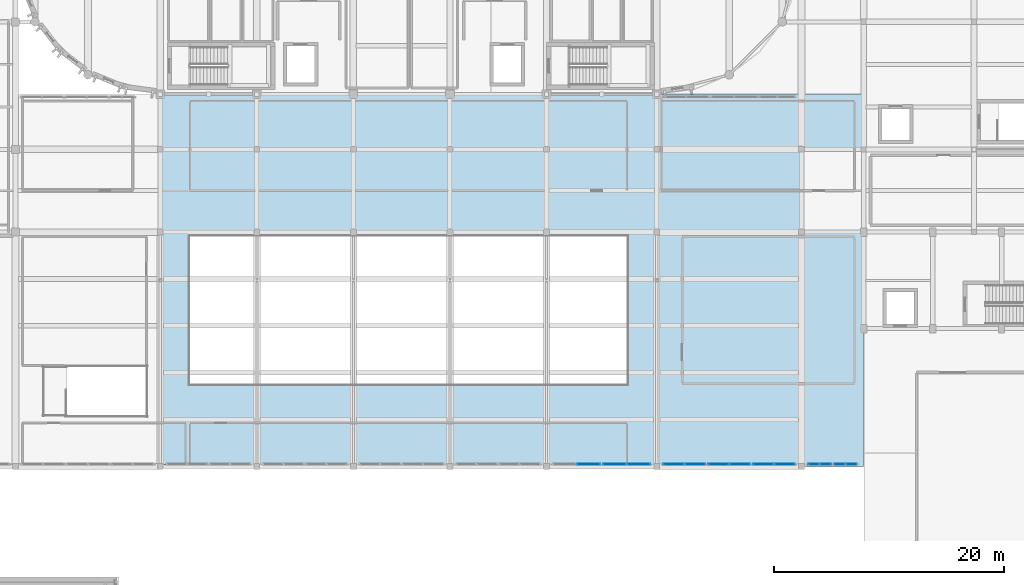
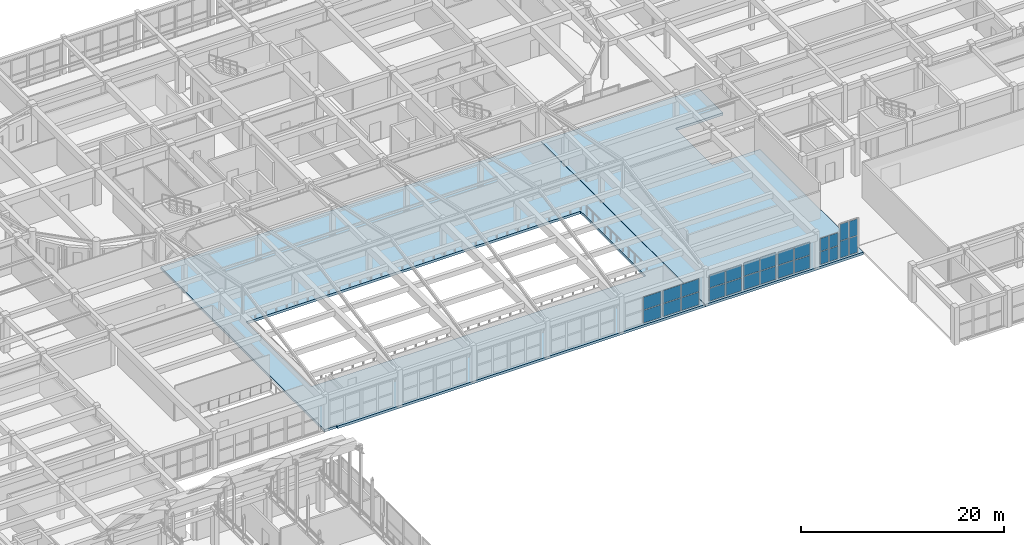
# One storey, part 60 of 91: 26 plates, 2 slabs, 7 elements without a shape of their own.
"""IFC4 building model written with IfcOpenShell, lengths in metres."""

from ifc_helpers import new_model, si_unit, direction, frame, origin, origin_2d, place, context, subcontext, project, spatial, polyline, rectangle, outline, extrude, material, layer, layer_set, type_object, element, aggregate, save


model = new_model("IFC4")

# Units and contexts
model_context = context("Model", 3, precision=1e-05, world=origin(), true_north=direction((0.0, 1.0)))
body_context = subcontext(model_context, "Body", "Model", "MODEL_VIEW")
ifc_project = project(units=[si_unit("LENGTHUNIT", "METRE"), si_unit("AREAUNIT", "SQUARE_METRE"), si_unit("VOLUMEUNIT", "CUBIC_METRE"), si_unit("PLANEANGLEUNIT", "RADIAN"), si_unit("MASSUNIT", "GRAM", prefix="KILO")], contexts=[model_context])

# Site, building, storey
site_placement = place(None, origin())
site = spatial("IfcSite", under=ifc_project, at=site_placement, CompositionType="ELEMENT")
building_placement = place(site_placement, origin())
building = spatial("IfcBuilding", under=site, at=building_placement, Name="Tarnavel Promenade Courthouse", CompositionType="ELEMENT")
storey_placement = place(building_placement, frame((0.0, 0.0, 9.89990234375)))
storey = spatial("IfcBuildingStorey", under=building, at=storey_placement, Name="L03", CompositionType="ELEMENT", Elevation=9.89990234375)

# Slabs
ifc_material_1 = material(Name="Concrete C40/50", Category="concrete")
ifc_layer_1 = layer(ifc_material_1, 0.300048828125)
ifc_layer_set_1 = layer_set([ifc_layer_1], Name="Concrete C40/50")
slab_type = type_object("IfcSlabType", Name="Concrete C40/50 SLB-STK-300 (300 mm)", PredefinedType="FLOOR", material=ifc_layer_set_1)
slab_1_placement = place(storey_placement, frame((0.0, 0.0, -0.2998046875)))
element("IfcSlab", 1, at=slab_1_placement, inside=storey, type_object=slab_type, Name="L03 Winter-Garden East Concourse Slab", PredefinedType="FLOOR", context=body_context, shape_type="SweptSolid", body=[
    extrude(outline(polyline([(102.02001953125, 46.800048828125), (119.97998046875, 46.800048828125), (119.97998046875, 67.179931640625), (114.580078125, 67.179931640625), (114.580078125, 74.419921875), (119.97998046875, 74.419921875), (119.97998046875, 79.179931640625), (102.02001953125, 79.179931640625), (102.02001953125, 46.800048828125)])), origin(), (0.0, 0.0, 1.0), 0.2998046875),
])
slab_2_placement = place(storey_placement, frame((0.0, 0.0, -0.2998046875)))
element("IfcSlab", 2, at=slab_2_placement, inside=storey, type_object=slab_type, Name="L03 Winter-Garden Central Concourse Slab", PredefinedType="FLOOR", context=body_context, shape_type="SweptSolid", body=[
    extrude(outline(polyline([(58.820068359375, 46.9599609375), (60.219970703125, 46.9599609375), (60.219970703125, 46.800048828125), (101.97998046875, 46.800048828125), (101.97998046875, 79.179931640625), (58.820068359375, 79.179931640625), (58.820068359375, 46.9599609375)]), holes=[polyline([(61.39990234375, 54.0), (99.39990234375, 54.0), (99.39990234375, 66.800048828125), (61.39990234375, 66.800048828125), (61.39990234375, 54.0)])]), origin(), (0.0, 0.0, 1.0), 0.2998046875),
])

# Curtain wall, plates
ifc_material_2 = material(Name="Thermally Broken Anodised Aluminium Curtain Wall System", Category="aluminium")
ifc_layer_2 = layer(ifc_material_2, 0.239990234375)
ifc_layer_set_2 = layer_set([ifc_layer_2], Name="Thermally Broken Anodised Aluminium Curtain Wall System")
curtain_wall_type = type_object("IfcCurtainWallType", Name="Thermally Broken Aluminium Triple-Glazed Curtain Wall CW-WG-S", PredefinedType="NOTDEFINED", material=ifc_layer_set_2)
curtain_wall_1_placement = place(storey_placement, origin())
curtain_wall_1 = element("IfcCurtainWall", 3, at=curtain_wall_1_placement, inside=storey, type_object=curtain_wall_type, Name="L03 Winter-Garden South Solar Curtain Wall 095", PredefinedType="NOTDEFINED")
ifc_material_3 = material(Name="Triple Low-E Argon Insulated Glazing", Category="glass")
ifc_layer_3 = layer(ifc_material_3, 0.053955078125)
ifc_layer_set_3 = layer_set([ifc_layer_3], Name="Triple Low-E Argon Insulated Glazing")
plate_type = type_object("IfcPlateType", Name="Triple Low-E Argon Insulated Glazing Unit CWP-54 (54 mm)", PredefinedType="CURTAIN_PANEL", material=ifc_layer_set_3)
plate_1_placement = place(storey_placement, frame((96.070068359375, 47.0, 0.080078125), z_axis=(0.0, 0.0, 1.0), x_axis=(1.0, 0.0, 0.0)))
plate_1 = element("IfcPlate", 4, at=plate_1_placement, type_object=plate_type, Name="CW-02 panel 2.1", PredefinedType="CURTAIN_PANEL", context=body_context, shape_type="SweptSolid", body=[
    extrude(rectangle(XDim=2.0, YDim=0.053955078125, at=origin_2d()), origin(), (0.0, 0.0, 1.0), 1.52001953125),
])
plate_2_placement = place(storey_placement, frame((96.070068359375, 47.0, 1.68017578125), z_axis=(0.0, 0.0, 1.0), x_axis=(1.0, 0.0, 0.0)))
plate_2 = element("IfcPlate", 5, at=plate_2_placement, type_object=plate_type, Name="CW-02 panel 2.2", PredefinedType="CURTAIN_PANEL", context=body_context, shape_type="SweptSolid", body=[
    extrude(rectangle(XDim=2.0, YDim=0.053955078125, at=origin_2d()), origin(), (0.0, 0.0, 1.0), 1.52001953125),
])
aggregate(curtain_wall_1, [plate_1, plate_2])

curtain_wall_2_placement = place(storey_placement, origin())
curtain_wall_2 = element("IfcCurtainWall", 6, at=curtain_wall_2_placement, inside=storey, type_object=curtain_wall_type, Name="L03 Winter-Garden South Solar Curtain Wall 096", PredefinedType="NOTDEFINED")
plate_3_placement = place(storey_placement, frame((98.330078125, 47.0, 0.080078125), z_axis=(0.0, 0.0, 1.0), x_axis=(1.0, 0.0, 0.0)))
plate_3 = element("IfcPlate", 7, at=plate_3_placement, type_object=plate_type, Name="CW-02 panel 1.1", PredefinedType="CURTAIN_PANEL", context=body_context, shape_type="SweptSolid", body=[
    extrude(rectangle(XDim=2.0, YDim=0.053955078125, at=origin_2d()), origin(), (0.0, 0.0, 1.0), 1.52001953125),
])
plate_4_placement = place(storey_placement, frame((98.330078125, 47.0, 1.68017578125), z_axis=(0.0, 0.0, 1.0), x_axis=(1.0, 0.0, 0.0)))
plate_4 = element("IfcPlate", 8, at=plate_4_placement, type_object=plate_type, Name="CW-02 panel 1.2", PredefinedType="CURTAIN_PANEL", context=body_context, shape_type="SweptSolid", body=[
    extrude(rectangle(XDim=2.0, YDim=0.053955078125, at=origin_2d()), origin(), (0.0, 0.0, 1.0), 1.52001953125),
])
plate_5_placement = place(storey_placement, frame((100.419921875, 47.0, 0.080078125), z_axis=(0.0, 0.0, 1.0), x_axis=(1.0, 0.0, 0.0)))
plate_5 = element("IfcPlate", 9, at=plate_5_placement, type_object=plate_type, Name="CW-02 panel 2.1", PredefinedType="CURTAIN_PANEL", context=body_context, shape_type="SweptSolid", body=[
    extrude(rectangle(XDim=2.0, YDim=0.053955078125, at=origin_2d()), origin(), (0.0, 0.0, 1.0), 1.52001953125),
])
plate_6_placement = place(storey_placement, frame((100.419921875, 47.0, 1.68017578125), z_axis=(0.0, 0.0, 1.0), x_axis=(1.0, 0.0, 0.0)))
plate_6 = element("IfcPlate", 10, at=plate_6_placement, type_object=plate_type, Name="CW-02 panel 2.2", PredefinedType="CURTAIN_PANEL", context=body_context, shape_type="SweptSolid", body=[
    extrude(rectangle(XDim=2.0, YDim=0.053955078125, at=origin_2d()), origin(), (0.0, 0.0, 1.0), 1.52001953125),
])
aggregate(curtain_wall_2, [plate_3, plate_4, plate_5, plate_6])

curtain_wall_3_placement = place(storey_placement, origin())
curtain_wall_3 = element("IfcCurtainWall", 11, at=curtain_wall_3_placement, inside=storey, type_object=curtain_wall_type, Name="L03 Winter-Garden South Solar Curtain Wall 097", PredefinedType="NOTDEFINED")
plate_7_placement = place(storey_placement, frame((103.467529296875, 47.0, 0.080078125), z_axis=(0.0, 0.0, 1.0), x_axis=(1.0, 0.0, 0.0)))
plate_7 = element("IfcPlate", 12, at=plate_7_placement, type_object=plate_type, Name="CW-02 panel 1.1", PredefinedType="CURTAIN_PANEL", context=body_context, shape_type="SweptSolid", body=[
    extrude(rectangle(XDim=1.77490234375, YDim=0.053955078125, at=origin_2d()), origin(), (0.0, 0.0, 1.0), 1.52001953125),
])
plate_8_placement = place(storey_placement, frame((103.467529296875, 47.0, 1.68017578125), z_axis=(0.0, 0.0, 1.0), x_axis=(1.0, 0.0, 0.0)))
plate_8 = element("IfcPlate", 13, at=plate_8_placement, type_object=plate_type, Name="CW-02 panel 1.2", PredefinedType="CURTAIN_PANEL", context=body_context, shape_type="SweptSolid", body=[
    extrude(rectangle(XDim=1.77490234375, YDim=0.053955078125, at=origin_2d()), origin(), (0.0, 0.0, 1.0), 1.52001953125),
])
plate_9_placement = place(storey_placement, frame((105.33251953125, 47.0, 0.080078125), z_axis=(0.0, 0.0, 1.0), x_axis=(1.0, 0.0, 0.0)))
plate_9 = element("IfcPlate", 14, at=plate_9_placement, type_object=plate_type, Name="CW-02 panel 2.1", PredefinedType="CURTAIN_PANEL", context=body_context, shape_type="SweptSolid", body=[
    extrude(rectangle(XDim=1.77490234375, YDim=0.053955078125, at=origin_2d()), origin(), (0.0, 0.0, 1.0), 1.52001953125),
])
plate_10_placement = place(storey_placement, frame((105.33251953125, 47.0, 1.68017578125), z_axis=(0.0, 0.0, 1.0), x_axis=(1.0, 0.0, 0.0)))
plate_10 = element("IfcPlate", 15, at=plate_10_placement, type_object=plate_type, Name="CW-02 panel 2.2", PredefinedType="CURTAIN_PANEL", context=body_context, shape_type="SweptSolid", body=[
    extrude(rectangle(XDim=1.77490234375, YDim=0.053955078125, at=origin_2d()), origin(), (0.0, 0.0, 1.0), 1.52001953125),
])
aggregate(curtain_wall_3, [plate_7, plate_8, plate_9, plate_10])

curtain_wall_4_placement = place(storey_placement, origin())
curtain_wall_4 = element("IfcCurtainWall", 16, at=curtain_wall_4_placement, inside=storey, type_object=curtain_wall_type, Name="L03 Winter-Garden South Solar Curtain Wall 098", PredefinedType="NOTDEFINED")
plate_11_placement = place(storey_placement, frame((107.367431640625, 47.0, 0.080078125), z_axis=(0.0, 0.0, 1.0), x_axis=(1.0, 0.0, 0.0)))
plate_11 = element("IfcPlate", 17, at=plate_11_placement, type_object=plate_type, Name="CW-02 panel 1.1", PredefinedType="CURTAIN_PANEL", context=body_context, shape_type="SweptSolid", body=[
    extrude(rectangle(XDim=1.77490234375, YDim=0.053955078125, at=origin_2d()), origin(), (0.0, 0.0, 1.0), 1.570068359375),
])
plate_12_placement = place(storey_placement, frame((107.367431640625, 47.0, 1.72998046875), z_axis=(0.0, 0.0, 1.0), x_axis=(1.0, 0.0, 0.0)))
plate_12 = element("IfcPlate", 18, at=plate_12_placement, type_object=plate_type, Name="CW-02 panel 1.2", PredefinedType="CURTAIN_PANEL", context=body_context, shape_type="SweptSolid", body=[
    extrude(rectangle(XDim=1.77490234375, YDim=0.053955078125, at=origin_2d()), origin(), (0.0, 0.0, 1.0), 1.570068359375),
])
plate_13_placement = place(storey_placement, frame((109.232421875, 47.0, 0.080078125), z_axis=(0.0, 0.0, 1.0), x_axis=(1.0, 0.0, 0.0)))
plate_13 = element("IfcPlate", 19, at=plate_13_placement, type_object=plate_type, Name="CW-02 panel 2.1", PredefinedType="CURTAIN_PANEL", context=body_context, shape_type="SweptSolid", body=[
    extrude(rectangle(XDim=1.77490234375, YDim=0.053955078125, at=origin_2d()), origin(), (0.0, 0.0, 1.0), 1.570068359375),
])
plate_14_placement = place(storey_placement, frame((109.232421875, 47.0, 1.72998046875), z_axis=(0.0, 0.0, 1.0), x_axis=(1.0, 0.0, 0.0)))
plate_14 = element("IfcPlate", 20, at=plate_14_placement, type_object=plate_type, Name="CW-02 panel 2.2", PredefinedType="CURTAIN_PANEL", context=body_context, shape_type="SweptSolid", body=[
    extrude(rectangle(XDim=1.77490234375, YDim=0.053955078125, at=origin_2d()), origin(), (0.0, 0.0, 1.0), 1.570068359375),
])
aggregate(curtain_wall_4, [plate_11, plate_12, plate_13, plate_14])

curtain_wall_5_placement = place(storey_placement, origin())
curtain_wall_5 = element("IfcCurtainWall", 21, at=curtain_wall_5_placement, inside=storey, type_object=curtain_wall_type, Name="L03 Winter-Garden South Solar Curtain Wall 099", PredefinedType="NOTDEFINED")
plate_15_placement = place(storey_placement, frame((111.267578125, 47.0, 0.080078125), z_axis=(0.0, 0.0, 1.0), x_axis=(1.0, 0.0, 0.0)))
plate_15 = element("IfcPlate", 22, at=plate_15_placement, type_object=plate_type, Name="CW-02 panel 1.1", PredefinedType="CURTAIN_PANEL", context=body_context, shape_type="SweptSolid", body=[
    extrude(rectangle(XDim=1.77490234375, YDim=0.053955078125, at=origin_2d()), origin(), (0.0, 0.0, 1.0), 1.52001953125),
])
plate_16_placement = place(storey_placement, frame((111.267578125, 47.0, 1.68017578125), z_axis=(0.0, 0.0, 1.0), x_axis=(1.0, 0.0, 0.0)))
plate_16 = element("IfcPlate", 23, at=plate_16_placement, type_object=plate_type, Name="CW-02 panel 1.2", PredefinedType="CURTAIN_PANEL", context=body_context, shape_type="SweptSolid", body=[
    extrude(rectangle(XDim=1.77490234375, YDim=0.053955078125, at=origin_2d()), origin(), (0.0, 0.0, 1.0), 1.52001953125),
])
plate_17_placement = place(storey_placement, frame((113.132568359375, 47.0, 0.080078125), z_axis=(0.0, 0.0, 1.0), x_axis=(1.0, 0.0, 0.0)))
plate_17 = element("IfcPlate", 24, at=plate_17_placement, type_object=plate_type, Name="CW-02 panel 2.1", PredefinedType="CURTAIN_PANEL", context=body_context, shape_type="SweptSolid", body=[
    extrude(rectangle(XDim=1.77490234375, YDim=0.053955078125, at=origin_2d()), origin(), (0.0, 0.0, 1.0), 1.52001953125),
])
plate_18_placement = place(storey_placement, frame((113.132568359375, 47.0, 1.68017578125), z_axis=(0.0, 0.0, 1.0), x_axis=(1.0, 0.0, 0.0)))
plate_18 = element("IfcPlate", 25, at=plate_18_placement, type_object=plate_type, Name="CW-02 panel 2.2", PredefinedType="CURTAIN_PANEL", context=body_context, shape_type="SweptSolid", body=[
    extrude(rectangle(XDim=1.77490234375, YDim=0.053955078125, at=origin_2d()), origin(), (0.0, 0.0, 1.0), 1.52001953125),
])
aggregate(curtain_wall_5, [plate_15, plate_16, plate_17, plate_18])

curtain_wall_6_placement = place(storey_placement, origin())
curtain_wall_6 = element("IfcCurtainWall", 26, at=curtain_wall_6_placement, inside=storey, type_object=curtain_wall_type, Name="L03 Winter-Garden South Solar Curtain Wall 100", PredefinedType="NOTDEFINED")
plate_19_placement = place(storey_placement, frame((115.655029296875, 47.0, 0.080078125), z_axis=(0.0, 0.0, 1.0), x_axis=(1.0, 0.0, 0.0)))
plate_19 = element("IfcPlate", 27, at=plate_19_placement, type_object=plate_type, Name="CW-02 panel 1.1", PredefinedType="CURTAIN_PANEL", context=body_context, shape_type="SweptSolid", body=[
    extrude(rectangle(XDim=0.949951171875, YDim=0.053955078125, at=origin_2d()), origin(), (0.0, 0.0, 1.0), 1.52001953125),
])
plate_20_placement = place(storey_placement, frame((115.655029296875, 47.0, 1.68017578125), z_axis=(0.0, 0.0, 1.0), x_axis=(1.0, 0.0, 0.0)))
plate_20 = element("IfcPlate", 28, at=plate_20_placement, type_object=plate_type, Name="CW-02 panel 1.2", PredefinedType="CURTAIN_PANEL", context=body_context, shape_type="SweptSolid", body=[
    extrude(rectangle(XDim=0.949951171875, YDim=0.053955078125, at=origin_2d()), origin(), (0.0, 0.0, 1.0), 1.52001953125),
])
plate_21_placement = place(storey_placement, frame((116.695068359375, 47.0, 0.080078125), z_axis=(0.0, 0.0, 1.0), x_axis=(1.0, 0.0, 0.0)))
plate_21 = element("IfcPlate", 29, at=plate_21_placement, type_object=plate_type, Name="CW-02 panel 2.1", PredefinedType="CURTAIN_PANEL", context=body_context, shape_type="SweptSolid", body=[
    extrude(rectangle(XDim=0.949951171875, YDim=0.053955078125, at=origin_2d()), origin(), (0.0, 0.0, 1.0), 1.52001953125),
])
plate_22_placement = place(storey_placement, frame((116.695068359375, 47.0, 1.68017578125), z_axis=(0.0, 0.0, 1.0), x_axis=(1.0, 0.0, 0.0)))
plate_22 = element("IfcPlate", 30, at=plate_22_placement, type_object=plate_type, Name="CW-02 panel 2.2", PredefinedType="CURTAIN_PANEL", context=body_context, shape_type="SweptSolid", body=[
    extrude(rectangle(XDim=0.949951171875, YDim=0.053955078125, at=origin_2d()), origin(), (0.0, 0.0, 1.0), 1.52001953125),
])
aggregate(curtain_wall_6, [plate_19, plate_20, plate_21, plate_22])

curtain_wall_7_placement = place(storey_placement, origin())
curtain_wall_7 = element("IfcCurtainWall", 31, at=curtain_wall_7_placement, inside=storey, type_object=curtain_wall_type, Name="L03 Winter-Garden South Solar Curtain Wall 101", PredefinedType="NOTDEFINED")
plate_23_placement = place(storey_placement, frame((117.905029296875, 47.0, 0.080078125), z_axis=(0.0, 0.0, 1.0), x_axis=(1.0, 0.0, 0.0)))
plate_23 = element("IfcPlate", 32, at=plate_23_placement, type_object=plate_type, Name="CW-02 panel 1.1", PredefinedType="CURTAIN_PANEL", context=body_context, shape_type="SweptSolid", body=[
    extrude(rectangle(XDim=0.949951171875, YDim=0.053955078125, at=origin_2d()), origin(), (0.0, 0.0, 1.0), 1.9775390625),
])
plate_24_placement = place(storey_placement, frame((117.905029296875, 47.0, 2.1376953125), z_axis=(0.0, 0.0, 1.0), x_axis=(1.0, 0.0, 0.0)))
plate_24 = element("IfcPlate", 33, at=plate_24_placement, type_object=plate_type, Name="CW-02 panel 1.2", PredefinedType="CURTAIN_PANEL", context=body_context, shape_type="SweptSolid", body=[
    extrude(rectangle(XDim=0.949951171875, YDim=0.053955078125, at=origin_2d()), origin(), (0.0, 0.0, 1.0), 1.9775390625),
])
plate_25_placement = place(storey_placement, frame((118.945068359375, 47.0, 0.080078125), z_axis=(0.0, 0.0, 1.0), x_axis=(1.0, 0.0, 0.0)))
plate_25 = element("IfcPlate", 34, at=plate_25_placement, type_object=plate_type, Name="CW-02 panel 2.1", PredefinedType="CURTAIN_PANEL", context=body_context, shape_type="SweptSolid", body=[
    extrude(rectangle(XDim=0.949951171875, YDim=0.053955078125, at=origin_2d()), origin(), (0.0, 0.0, 1.0), 1.9775390625),
])
plate_26_placement = place(storey_placement, frame((118.945068359375, 47.0, 2.1376953125), z_axis=(0.0, 0.0, 1.0), x_axis=(1.0, 0.0, 0.0)))
plate_26 = element("IfcPlate", 35, at=plate_26_placement, type_object=plate_type, Name="CW-02 panel 2.2", PredefinedType="CURTAIN_PANEL", context=body_context, shape_type="SweptSolid", body=[
    extrude(rectangle(XDim=0.949951171875, YDim=0.053955078125, at=origin_2d()), origin(), (0.0, 0.0, 1.0), 1.9775390625),
])
aggregate(curtain_wall_7, [plate_23, plate_24, plate_25, plate_26])

save(model, "model.ifc")
